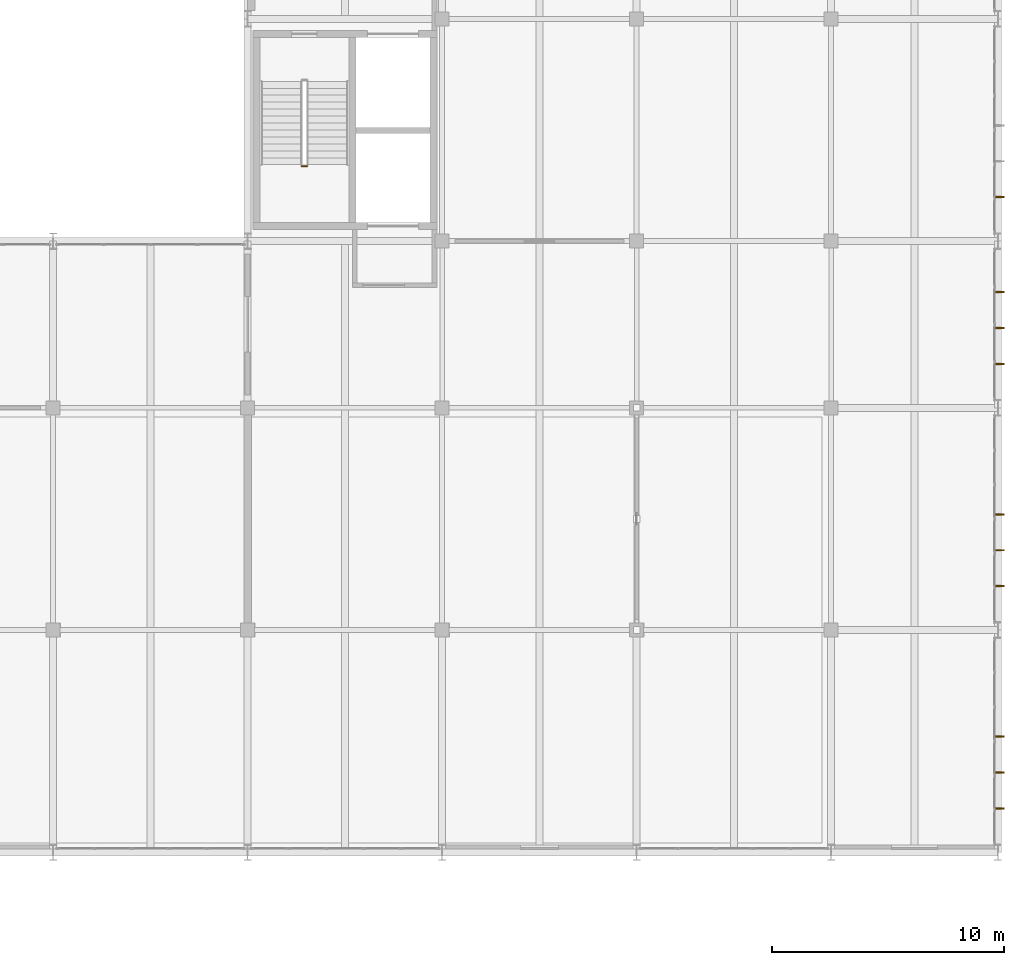
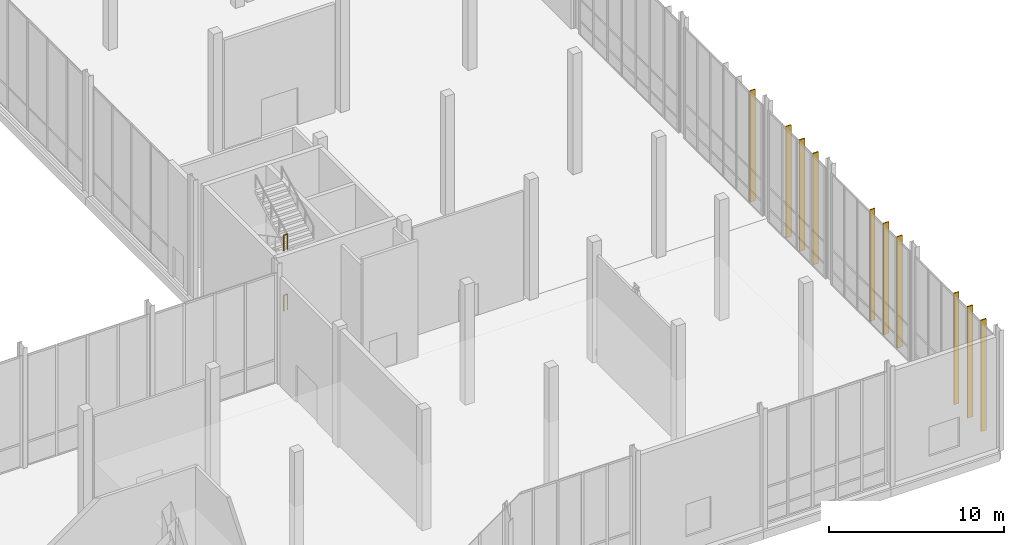
# One storey, part 130 of 131: 10 shading devices, 2 railings.
"""IFC4 building model written with IfcOpenShell, lengths in metres."""

from ifc_helpers import new_model, si_unit, direction, frame, origin, origin_2d, place, context, subcontext, project, spatial, rectangle, circle, extrude, material, type_object, element, save


model = new_model("IFC4")

# Units and contexts
model_context = context("Model", 3, precision=1e-05, world=origin(), true_north=direction((0.0, 1.0)))
body_context = subcontext(model_context, "Body", "Model", "MODEL_VIEW")
ifc_project = project(units=[si_unit("LENGTHUNIT", "METRE"), si_unit("AREAUNIT", "SQUARE_METRE"), si_unit("VOLUMEUNIT", "CUBIC_METRE"), si_unit("PLANEANGLEUNIT", "RADIAN"), si_unit("MASSUNIT", "GRAM", prefix="KILO")], contexts=[model_context])

# Site, building, storey
site_placement = place(None, origin())
site = spatial("IfcSite", under=ifc_project, at=site_placement, CompositionType="ELEMENT")
building_placement = place(site_placement, origin())
building = spatial("IfcBuilding", under=site, at=building_placement, Name="Veltarok Museum of Natural Sciences", CompositionType="ELEMENT")
storey_placement = place(building_placement, origin())
storey = spatial("IfcBuildingStorey", under=building, at=storey_placement, Name="L00", CompositionType="ELEMENT", Elevation=0.0)

# Railings
ifc_material_1 = material(Name="Steel S355J2", Category="steel")
railing_type = type_object("IfcRailingType", Name="Interior Atrium and Stairwell Guardrail 1100", PredefinedType="GUARDRAIL", material=ifc_material_1)
for number, where, name in (
    (1, (134.72998046875, 29.639892578125, 2.10009765625), "Landing Well Guard ST-05-L00-L1"),
    (2, (134.72998046875, 29.639892578125, 6.300048828125), "Landing Well Guard ST-05-L00-L3"),
):
    element("IfcRailing", number, at=place(storey_placement, frame(where)), inside=storey, type_object=railing_type, Name=name, PredefinedType="GUARDRAIL", context=body_context, shape_type="SweptSolid", body=[
        extrude(circle(Radius=0.02392578125, at=origin_2d()), frame((0.0, 0.0, 1.076171875), z_axis=(1.0, 0.0, 0.0), x_axis=(0.0, 1.0, 0.0)), (0.0, 0.0, 1.0), 0.239990234375),
        extrude(circle(Radius=0.02099609375, at=origin_2d()), origin(), (0.0, 0.0, 1.0), 1.052001953125),
        extrude(circle(Radius=0.02099609375, at=origin_2d()), frame((0.239990234375, 0.0, 0.0)), (0.0, 0.0, 1.0), 1.052001953125),
    ])

# Shading devices
ifc_material_2 = material(Name="Thermally broken anodised aluminium", Category="aluminium")
shading_device_type = type_object("IfcShadingDeviceType", Name="Vertical Anodised Aluminium Solar Shading Fin 350", PredefinedType="JALOUSIE", material=ifc_material_2)
for number, where, z_axis, x_axis, name in (
    (3, (164.889892578125, 1.89990234375, 0.0), (0.0, 0.0, 1.0), (1.0, 0.0, 0.0), "Solar Shading Fin L00 1"),
    (4, (164.889892578125, 3.449951171875, 0.0), (0.0, 0.0, 1.0), (1.0, 0.0, 0.0), "Solar Shading Fin L00 2"),
    (5, (164.889892578125, 5.0, 0.0), (0.0, 0.0, 1.0), (1.0, 0.0, 0.0), "Solar Shading Fin L00 3"),
    (6, (164.889892578125, 11.5, 0.0), (0.0, 0.0, 1.0), (1.0, 0.0, 0.0), "Solar Shading Fin L00 4"),
    (7, (164.889892578125, 13.050048828125, 0.0), (0.0, 0.0, 1.0), (1.0, 0.0, 0.0), "Solar Shading Fin L00 5"),
    (8, (164.889892578125, 14.60009765625, 0.0), (0.0, 0.0, 1.0), (1.0, 0.0, 0.0), "Solar Shading Fin L00 6"),
    (9, (164.889892578125, 21.10009765625, 0.0), (0.0, 0.0, 1.0), (1.0, 0.0, 0.0), "Solar Shading Fin L00 7"),
    (10, (164.889892578125, 22.64990234375, 0.0), (0.0, 0.0, 1.0), (1.0, 0.0, 0.0), "Solar Shading Fin L00 8"),
    (11, (164.889892578125, 24.199951171875, 0.0), (0.0, 0.0, 1.0), (1.0, 0.0, 0.0), "Solar Shading Fin L00 9"),
    (12, (164.889892578125, 28.300048828125, 0.0), (0.0, 0.0, 1.0), (1.0, 0.0, 0.0), "Solar Shading Fin L00 10"),
):
    element("IfcShadingDevice", number, at=place(storey_placement, frame(where, z_axis=z_axis, x_axis=x_axis)), inside=storey, type_object=shading_device_type, Name=name, PredefinedType="JALOUSIE", context=body_context, shape_type="SweptSolid", body=[
        extrude(rectangle(XDim=0.35009765625, YDim=0.06005859375, at=origin_2d()), origin(), (0.0, 0.0, 1.0), 7.780029296875),
    ])

save(model, "model.ifc")
